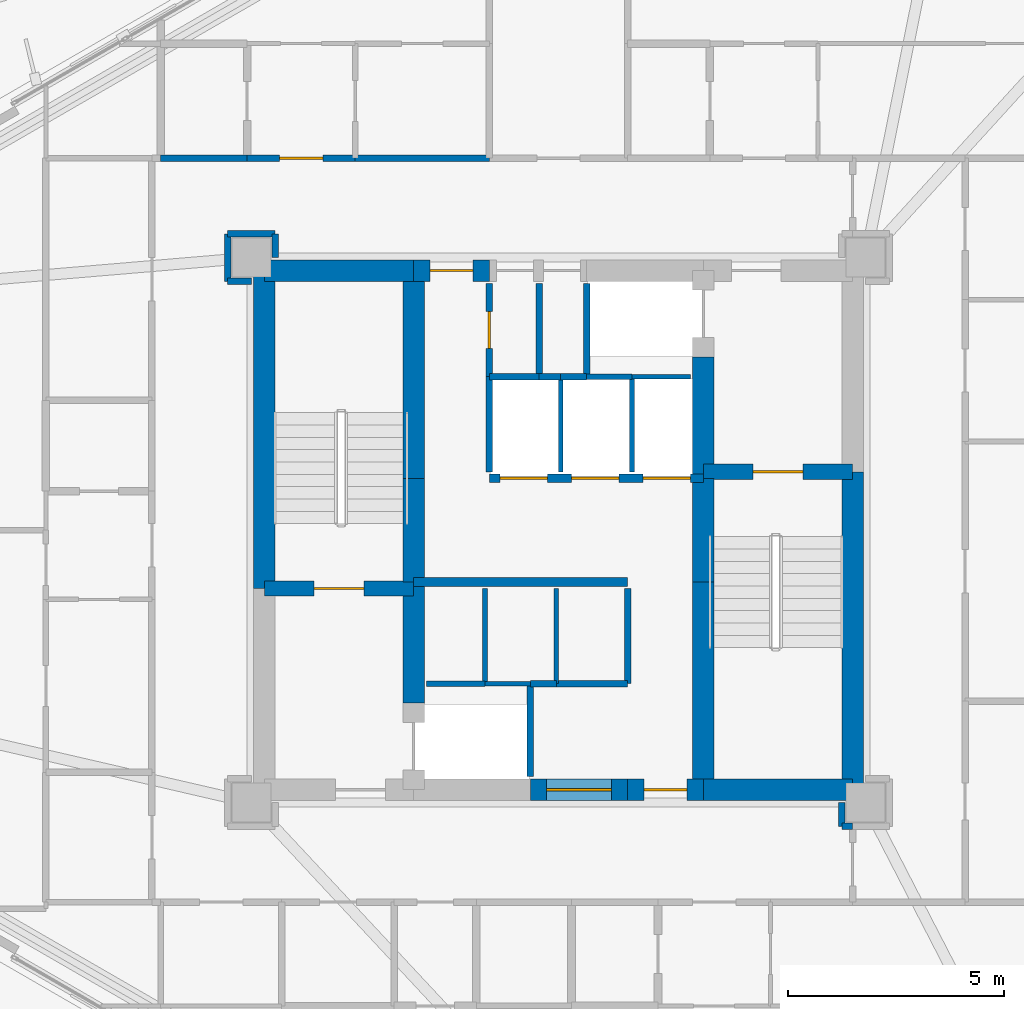
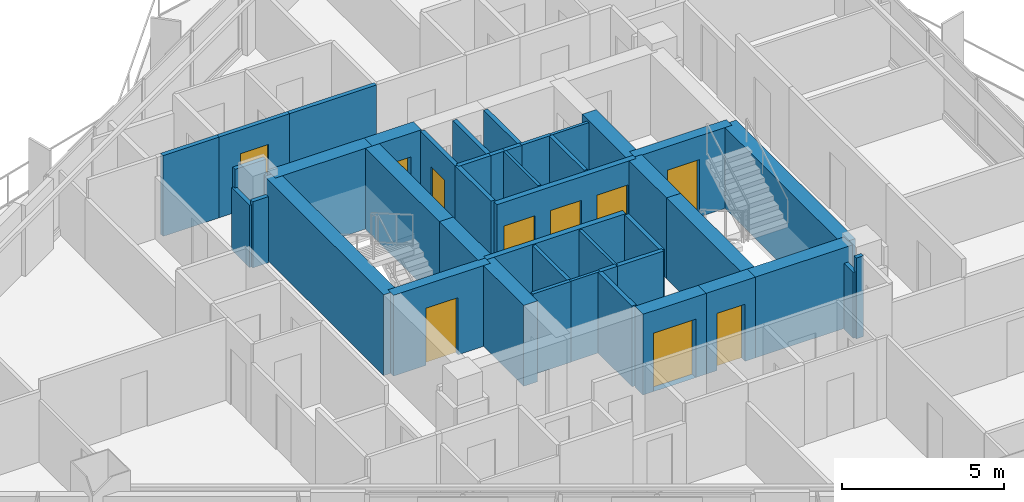
# One storey, part 14 of 19: 45 walls, 10 doors, 10 openings.
"""IFC4 building model written with IfcOpenShell, lengths in metres."""

from ifc_helpers import new_model, si_unit, direction, frame, frame_2d, origin, place, context, subcontext, project, spatial, rectangle, extrude, material, layer, layer_set, type_object, element, fill, save


model = new_model("IFC4")

# Units and contexts
model_context = context("Model", 3, precision=1e-05, world=origin(), true_north=direction((0.0, 1.0)))
body_context = subcontext(model_context, "Body", "Model", "MODEL_VIEW")
ifc_project = project(units=[si_unit("LENGTHUNIT", "METRE"), si_unit("AREAUNIT", "SQUARE_METRE"), si_unit("VOLUMEUNIT", "CUBIC_METRE"), si_unit("PLANEANGLEUNIT", "RADIAN"), si_unit("MASSUNIT", "GRAM", prefix="KILO")], contexts=[model_context])

# Site, building, storey
site_placement = place(None, origin())
site = spatial("IfcSite", under=ifc_project, at=site_placement, CompositionType="ELEMENT")
building_placement = place(site_placement, origin())
building = spatial("IfcBuilding", under=site, at=building_placement, Name="Mersakhor Tower and Convention Hall", CompositionType="ELEMENT")
storey_placement = place(building_placement, frame((0.0, 0.0, 48.89990234375)))
storey = spatial("IfcBuildingStorey", under=building, at=storey_placement, Name="L13", CompositionType="ELEMENT", Elevation=48.89990234375)

# Walls
ifc_material_1 = material(Name="Lightweight gypsum partition", Category="other")
ifc_layer_1 = layer(ifc_material_1, 0.10009765625)
ifc_layer_set_1 = layer_set([ifc_layer_1], Name="Lightweight gypsum partition")
wall_type_1 = type_object("IfcWallType", Name="WL-PRT-100", PredefinedType="PARTITIONING", material=ifc_layer_set_1)
wall_1_placement = place(storey_placement, frame((27.300048828125, 23.199951171875, 0.0), z_axis=(0.0, 0.0, 1.0), x_axis=(1.0, 0.0, 0.0)))
element("IfcWall", 1, at=wall_1_placement, inside=storey, type_object=wall_type_1, Name="L13 Interior Partition Wall P-002", PredefinedType="PARTITIONING", context=body_context, shape_type="SweptSolid", body=[
    extrude(rectangle(XDim=1.050048828125, YDim=0.10009765625, at=frame_2d((0.52490234375, 0.0))), origin(), (0.0, 0.0, 1.0), 3.0400390625),
])
wall_2_placement = place(storey_placement, frame((32.050048828125, 30.300048828125, 0.0), z_axis=(0.0, 0.0, 1.0), x_axis=(-1.0, 0.0, 0.0)))
element("IfcWall", 2, at=wall_2_placement, inside=storey, type_object=wall_type_1, Name="L13 Interior Partition Wall P-004", PredefinedType="PARTITIONING", context=body_context, shape_type="SweptSolid", body=[
    extrude(rectangle(XDim=1.35009765625, YDim=0.10009765625, at=frame_2d((0.675048828125, 0.0))), origin(), (0.0, 0.0, 1.0), 3.0400390625),
])
for number, where, z_axis, x_axis, name in (
    (3, (28.949951171875, 25.39990234375, 0.0), (0.0, 0.0, 1.0), (0.0, -1.0, 0.0), "L13 Interior Partition Wall P-008"),
    (4, (29.050048828125, 30.300048828125, 0.0), (0.0, 0.0, 1.0), (0.0, -1.0, 0.0), "L13 Interior Partition Wall P-014"),
):
    element("IfcWall", number, at=place(storey_placement, frame(where, z_axis=z_axis, x_axis=x_axis)), inside=storey, type_object=wall_type_1, Name=name, PredefinedType="PARTITIONING", context=body_context, shape_type="SweptSolid", body=[
        extrude(rectangle(XDim=2.199951171875, YDim=0.10009765625, at=frame_2d((1.10009765625, 0.0))), origin(), (0.0, 0.0, 1.0), 3.0400390625),
    ])
ifc_material_2 = material(Name="Gypsum board acoustic partition", Category="other")
ifc_layer_2 = layer(ifc_material_2, 0.125)
ifc_layer_set_2 = layer_set([ifc_layer_2], Name="Gypsum board acoustic partition")
wall_type_2 = type_object("IfcWallType", Name="WL-PRT-125", PredefinedType="PARTITIONING", material=ifc_layer_set_2)
wall_3_placement = place(storey_placement, frame((25.949951171875, 23.199951171875, 0.0), z_axis=(0.0, 0.0, 1.0), x_axis=(1.0, 0.0, 0.0)))
element("IfcWall", 5, at=wall_3_placement, inside=storey, type_object=wall_type_2, Name="L13 Interior Partition Wall P-001", PredefinedType="PARTITIONING", context=body_context, shape_type="SweptSolid", body=[
    extrude(rectangle(XDim=1.35009765625, YDim=0.125, at=frame_2d((0.675048828125, 0.0))), origin(), (0.0, 0.0, 1.0), 3.0400390625),
])
wall_4_placement = place(storey_placement, frame((30.699951171875, 30.300048828125, 0.0), z_axis=(0.0, 0.0, 1.0), x_axis=(-1.0, 0.0, 0.0)))
element("IfcWall", 6, at=wall_4_placement, inside=storey, type_object=wall_type_2, Name="L13 Interior Partition Wall P-005", PredefinedType="PARTITIONING", context=body_context, shape_type="SweptSolid", body=[
    extrude(rectangle(XDim=1.050048828125, YDim=0.125, at=frame_2d((0.52490234375, 0.0))), origin(), (0.0, 0.0, 1.0), 3.0400390625),
])
for number, where, z_axis, x_axis, name in (
    (7, (27.300048828125, 25.39990234375, 0.0), (0.0, 0.0, 1.0), (0.0, -1.0, 0.0), "L13 Interior Partition Wall P-007"),
    (8, (30.699951171875, 30.300048828125, 0.0), (0.0, 0.0, 1.0), (0.0, -1.0, 0.0), "L13 Interior Partition Wall P-017"),
):
    element("IfcWall", number, at=place(storey_placement, frame(where, z_axis=z_axis, x_axis=x_axis)), inside=storey, type_object=wall_type_2, Name=name, PredefinedType="PARTITIONING", context=body_context, shape_type="SweptSolid", body=[
        extrude(rectangle(XDim=2.199951171875, YDim=0.125, at=frame_2d((1.10009765625, 0.0))), origin(), (0.0, 0.0, 1.0), 3.0400390625),
    ])
ifc_material_3 = material(Name="Fire-rated gypsum board stud partition", Category="other")
ifc_layer_3 = layer(ifc_material_3, 0.14990234375)
ifc_layer_set_3 = layer_set([ifc_layer_3], Name="Fire-rated gypsum board stud partition")
wall_type_3 = type_object("IfcWallType", Name="WL-PRT-150", PredefinedType="PARTITIONING", material=ifc_layer_set_3)
for number, where, z_axis, x_axis, name in (
    (9, (28.35009765625, 23.199951171875, 0.0), (0.0, 0.0, 1.0), (0.0, -1.0, 0.0), "L13 Interior Partition Wall P-003"),
    (10, (29.64990234375, 30.300048828125, 0.0), (0.0, 0.0, 1.0), (0.0, 1.0, 0.0), "L13 Interior Partition Wall P-006"),
):
    element("IfcWall", number, at=place(storey_placement, frame(where, z_axis=z_axis, x_axis=x_axis)), inside=storey, type_object=wall_type_3, Name=name, PredefinedType="PARTITIONING", context=body_context, shape_type="SweptSolid", body=[
        extrude(rectangle(XDim=2.14990234375, YDim=0.14990234375, at=frame_2d((1.074951171875, 0.0))), origin(), (0.0, 0.0, 1.0), 3.0400390625),
    ])
wall_5_placement = place(storey_placement, frame((28.949951171875, 23.199951171875, 0.0), z_axis=(0.0, 0.0, 1.0), x_axis=(-1.0, 0.0, 0.0)))
element("IfcWall", 11, at=wall_5_placement, inside=storey, type_object=wall_type_3, Name="L13 Interior Partition Wall P-009", PredefinedType="PARTITIONING", context=body_context, shape_type="SweptSolid", body=[
    extrude(rectangle(XDim=0.599853515625, YDim=0.14990234375, at=frame_2d((0.2998046875, 0.0))), origin(), (0.0, 0.0, 1.0), 3.0400390625),
])
wall_6_placement = place(storey_placement, frame((30.60009765625, 25.39990234375, 0.0), z_axis=(0.0, 0.0, 1.0), x_axis=(0.0, -1.0, 0.0)))
element("IfcWall", 12, at=wall_6_placement, inside=storey, type_object=wall_type_3, Name="L13 Interior Partition Wall P-010", PredefinedType="PARTITIONING", context=body_context, shape_type="SweptSolid", body=[
    extrude(rectangle(XDim=2.199951171875, YDim=0.14990234375, at=frame_2d((1.10009765625, 0.0))), origin(), (0.0, 0.0, 1.0), 3.0400390625),
])
wall_7_placement = place(storey_placement, frame((30.60009765625, 23.199951171875, 0.0), z_axis=(0.0, 0.0, 1.0), x_axis=(-1.0, 0.0, 0.0)))
element("IfcWall", 13, at=wall_7_placement, inside=storey, type_object=wall_type_3, Name="L13 Interior Partition Wall P-011", PredefinedType="PARTITIONING", context=body_context, shape_type="SweptSolid", body=[
    extrude(rectangle(XDim=1.650146484375, YDim=0.14990234375, at=frame_2d((0.8251953125, 0.0))), origin(), (0.0, 0.0, 1.0), 3.0400390625),
])
wall_8_placement = place(storey_placement, frame((27.39990234375, 30.300048828125, 0.0), z_axis=(0.0, 0.0, 1.0), x_axis=(1.0, 0.0, 0.0)))
element("IfcWall", 14, at=wall_8_placement, inside=storey, type_object=wall_type_3, Name="L13 Interior Partition Wall P-012", PredefinedType="PARTITIONING", context=body_context, shape_type="SweptSolid", body=[
    extrude(rectangle(XDim=1.150146484375, YDim=0.14990234375, at=frame_2d((0.5751953125, 0.0))), origin(), (0.0, 0.0, 1.0), 3.0400390625),
])
wall_9_placement = place(storey_placement, frame((28.550048828125, 30.300048828125, 0.0), z_axis=(0.0, 0.0, 1.0), x_axis=(1.0, 0.0, 0.0)))
element("IfcWall", 15, at=wall_9_placement, inside=storey, type_object=wall_type_3, Name="L13 Interior Partition Wall P-013", PredefinedType="PARTITIONING", context=body_context, shape_type="SweptSolid", body=[
    extrude(rectangle(XDim=0.5, YDim=0.14990234375, at=frame_2d((0.25, 0.0))), origin(), (0.0, 0.0, 1.0), 3.0400390625),
])
wall_10_placement = place(storey_placement, frame((27.39990234375, 28.10009765625, 0.0), z_axis=(0.0, 0.0, 1.0), x_axis=(0.0, 1.0, 0.0)))
element("IfcWall", 16, at=wall_10_placement, inside=storey, type_object=wall_type_3, Name="L13 Interior Partition Wall P-015", PredefinedType="PARTITIONING", context=body_context, shape_type="SweptSolid", body=[
    extrude(rectangle(XDim=2.199951171875, YDim=0.14990234375, at=frame_2d((1.10009765625, 0.0))), origin(), (0.0, 0.0, 1.0), 3.0400390625),
])
wall_11_placement = place(storey_placement, frame((29.050048828125, 30.300048828125, 0.0), z_axis=(0.0, 0.0, 1.0), x_axis=(1.0, 0.0, 0.0)))
element("IfcWall", 17, at=wall_11_placement, inside=storey, type_object=wall_type_3, Name="L13 Interior Partition Wall P-016", PredefinedType="PARTITIONING", context=body_context, shape_type="SweptSolid", body=[
    extrude(rectangle(XDim=0.599853515625, YDim=0.14990234375, at=frame_2d((0.2998046875, 0.0))), origin(), (0.0, 0.0, 1.0), 3.0400390625),
])

# Wall, opening, door
wall_12_placement = place(storey_placement, frame((27.39990234375, 32.449951171875, 0.0), z_axis=(0.0, 0.0, 1.0), x_axis=(0.0, -1.0, 0.0)))
wall_12 = element("IfcWall", 18, at=wall_12_placement, inside=storey, type_object=wall_type_3, Name="L13 Interior Partition Wall P-018", PredefinedType="PARTITIONING", context=body_context, shape_type="SweptSolid", body=[
    extrude(rectangle(XDim=2.14990234375, YDim=0.14990234375, at=frame_2d((1.074951171875, 0.0))), origin(), (0.0, 0.0, 1.0), 3.0400390625),
])
opening_1_placement = place(wall_12_placement, frame((0.64990234375, 0.0, 0.0)))
opening_1 = element("IfcOpeningElement", 19, at=opening_1_placement, cuts=wall_12, Name="Opening SVD-01", PredefinedType="OPENING", context=body_context, shape_type="SweptSolid", body=[
    extrude(rectangle(XDim=0.85009765625, YDim=2.10009765625, at=frame_2d((0.425048828125, 1.050048828125))), frame((0.0, 0.0849609375, 0.0), z_axis=(0.0, -1.0, 0.0), x_axis=(1.0, 0.0, 0.0)), (0.0, 0.0, 1.0), 0.169921875),
])
ifc_material_4 = material(Name="Fire-rated hardwood leaf and painted steel frame", Category="steel")
door_type_1 = type_object("IfcDoorType", Name="DR-INT-SVC-085x210", OperationType="NOTDEFINED", PredefinedType="DOOR", material=ifc_material_4)
door_1_placement = place(opening_1_placement, origin())
door_1 = element("IfcDoor", 20, at=door_1_placement, inside=storey, type_object=door_type_1, Name="L13 Central Passenger Lift Lobby to Telecoms Distribution Room Door", OperationType="SINGLE_SWING_LEFT", OverallHeight=2.10009765625, OverallWidth=0.85009765625, PredefinedType="DOOR", context=body_context, shape_type="SweptSolid", body=[
    extrude(rectangle(XDim=0.85009765625, YDim=2.10009765625, at=frame_2d((0.425048828125, 1.050048828125))), frame((0.0, 0.02490234375, 0.0), z_axis=(0.0, -1.0, 0.0), x_axis=(1.0, 0.0, 0.0)), (0.0, 0.0, 1.0), 0.050048828125),
])
fill(opening_1, door_1)

# Walls
wall_13_placement = place(storey_placement, frame((35.550048828125, 20.449951171875, 0.0), z_axis=(0.0, 0.0, 1.0), x_axis=(0.0, -1.0, 0.0)))
element("IfcWall", 21, at=wall_13_placement, inside=storey, type_object=wall_type_3, Name="L13 Interior Partition Wall P-021", PredefinedType="PARTITIONING", context=body_context, shape_type="SweptSolid", body=[
    extrude(rectangle(XDim=0.550048828125, YDim=0.14990234375, at=frame_2d((0.27490234375, 0.0))), origin(), (0.0, 0.0, 1.0), 2.48828125),
])
wall_14_placement = place(storey_placement, frame((35.550048828125, 19.89990234375, 0.0), z_axis=(0.0, 0.0, 1.0), x_axis=(1.0, 0.0, 0.0)))
element("IfcWall", 22, at=wall_14_placement, inside=storey, type_object=wall_type_3, Name="L13 Interior Partition Wall P-022", PredefinedType="PARTITIONING", context=body_context, shape_type="SweptSolid", body=[
    extrude(rectangle(XDim=0.25, YDim=0.14990234375, at=frame_2d((0.125, 0.0))), origin(), (0.0, 0.0, 1.0), 3.0400390625),
])
wall_15_placement = place(storey_placement, frame((19.800048828125, 35.35009765625, 0.0), z_axis=(0.0, 0.0, 1.0), x_axis=(1.0, 0.0, 0.0)))
element("IfcWall", 23, at=wall_15_placement, inside=storey, type_object=wall_type_3, Name="L13 Interior Partition Wall P-038", PredefinedType="PARTITIONING", context=body_context, shape_type="SweptSolid", body=[
    extrude(rectangle(XDim=2.0, YDim=0.14990234375, at=frame_2d((1.0, 0.0))), origin(), (0.0, 0.0, 1.0), 3.0400390625),
])

# Wall, opening, door
wall_16_placement = place(storey_placement, frame((21.800048828125, 35.35009765625, 0.0), z_axis=(0.0, 0.0, 1.0), x_axis=(1.0, 0.0, 0.0)))
wall_16 = element("IfcWall", 24, at=wall_16_placement, inside=storey, type_object=wall_type_3, Name="L13 Interior Partition Wall P-039", PredefinedType="PARTITIONING", context=body_context, shape_type="SweptSolid", body=[
    extrude(rectangle(XDim=2.5, YDim=0.14990234375, at=frame_2d((1.25, 0.0))), origin(), (0.0, 0.0, 1.0), 3.0400390625),
])
opening_2_placement = place(wall_16_placement, frame((0.75, 0.0, 0.0)))
opening_2 = element("IfcOpeningElement", 25, at=opening_2_placement, cuts=wall_16, Name="Opening FD-01", PredefinedType="OPENING", context=body_context, shape_type="SweptSolid", body=[
    extrude(rectangle(XDim=1.0, YDim=2.14990234375, at=frame_2d((0.5, 1.074951171875))), frame((0.0, 0.0849609375, 0.0), z_axis=(0.0, -1.0, 0.0), x_axis=(1.0, 0.0, 0.0)), (0.0, 0.0, 1.0), 0.169921875),
])
ifc_material_5 = material(Name="Fire-rated hardwood leaf and painted steel frame", Category="steel")
door_type_2 = type_object("IfcDoorType", Name="DR-INT-FLT-100x215", OperationType="NOTDEFINED", PredefinedType="DOOR", material=ifc_material_5)
door_2_placement = place(opening_2_placement, origin())
door_2 = element("IfcDoor", 26, at=door_2_placement, inside=storey, type_object=door_type_2, Name="L13 Apartment Entrance Door (Residential Ring Corridor to L13 Flat N1 Apartment Hall)", OperationType="SINGLE_SWING_RIGHT", OverallHeight=2.14990234375, OverallWidth=1.0, PredefinedType="DOOR", context=body_context, shape_type="SweptSolid", body=[
    extrude(rectangle(XDim=1.0, YDim=2.14990234375, at=frame_2d((0.5, 1.074951171875))), frame((0.0, 0.02490234375, 0.0), z_axis=(0.0, -1.0, 0.0), x_axis=(1.0, 0.0, 0.0)), (0.0, 0.0, 1.0), 0.050048828125),
])
fill(opening_2, door_2)

# Walls
wall_17_placement = place(storey_placement, frame((24.300048828125, 35.35009765625, 0.0), z_axis=(0.0, 0.0, 1.0), x_axis=(1.0, 0.0, 0.0)))
element("IfcWall", 27, at=wall_17_placement, inside=storey, type_object=wall_type_3, Name="L13 Interior Partition Wall P-040", PredefinedType="PARTITIONING", context=body_context, shape_type="SweptSolid", body=[
    extrude(rectangle(XDim=3.099853515625, YDim=0.14990234375, at=frame_2d((1.5498046875, 0.0))), origin(), (0.0, 0.0, 1.0), 3.0400390625),
])
wall_18_placement = place(storey_placement, frame((22.449951171875, 33.050048828125, 0.0), z_axis=(0.0, 0.0, 1.0), x_axis=(0.0, 1.0, 0.0)))
element("IfcWall", 28, at=wall_18_placement, inside=storey, type_object=wall_type_3, Name="L13 Interior Partition Wall P-048", PredefinedType="PARTITIONING", context=body_context, shape_type="SweptSolid", body=[
    extrude(rectangle(XDim=0.550048828125, YDim=0.14990234375, at=frame_2d((0.27490234375, 0.0))), origin(), (0.0, 0.0, 1.0), 2.48828125),
])
wall_19_placement = place(storey_placement, frame((22.449951171875, 33.60009765625, 0.0), z_axis=(0.0, 0.0, 1.0), x_axis=(-1.0, 0.0, 0.0)))
element("IfcWall", 29, at=wall_19_placement, inside=storey, type_object=wall_type_3, Name="L13 Interior Partition Wall P-049", PredefinedType="PARTITIONING", context=body_context, shape_type="SweptSolid", body=[
    extrude(rectangle(XDim=1.099853515625, YDim=0.14990234375, at=frame_2d((0.5498046875, 0.0))), origin(), (0.0, 0.0, 1.0), 3.0400390625),
])
wall_20_placement = place(storey_placement, frame((21.35009765625, 33.60009765625, 0.0), z_axis=(0.0, 0.0, 1.0), x_axis=(0.0, -1.0, 0.0)))
element("IfcWall", 30, at=wall_20_placement, inside=storey, type_object=wall_type_3, Name="L13 Interior Partition Wall P-050", PredefinedType="PARTITIONING", context=body_context, shape_type="SweptSolid", body=[
    extrude(rectangle(XDim=1.10009765625, YDim=0.14990234375, at=frame_2d((0.550048828125, 0.0))), origin(), (0.0, 0.0, 1.0), 2.337646484375),
])
wall_21_placement = place(storey_placement, frame((21.35009765625, 32.5, 0.0), z_axis=(0.0, 0.0, 1.0), x_axis=(1.0, 0.0, 0.0)))
element("IfcWall", 31, at=wall_21_placement, inside=storey, type_object=wall_type_3, Name="L13 Interior Partition Wall P-051", PredefinedType="PARTITIONING", context=body_context, shape_type="SweptSolid", body=[
    extrude(rectangle(XDim=0.5498046875, YDim=0.14990234375, at=frame_2d((0.27490234375, 0.0))), origin(), (0.0, 0.0, 1.0), 2.48828125),
])
wall_22_placement = place(storey_placement, frame((28.550048828125, 32.449951171875, 0.0), z_axis=(0.0, 0.0, 1.0), x_axis=(0.0, -1.0, 0.0)))
element("IfcWall", 32, at=wall_22_placement, inside=storey, type_object=wall_type_3, Name="L13 Interior Partition Wall P-099", PredefinedType="PARTITIONING", context=body_context, shape_type="SweptSolid", body=[
    extrude(rectangle(XDim=2.14990234375, YDim=0.14990234375, at=frame_2d((1.074951171875, 0.0))), origin(), (0.0, 0.0, 1.0), 3.0400390625),
])
ifc_material_6 = material(Name="Acoustic concrete blockwork and gypsum board", Category="masonry")
ifc_layer_4 = layer(ifc_material_6, 0.199951171875)
ifc_layer_set_4 = layer_set([ifc_layer_4], Name="Acoustic concrete blockwork and gypsum board")
wall_type_4 = type_object("IfcWallType", Name="WL-PRT-200", PredefinedType="PARTITIONING", material=ifc_layer_set_4)
wall_23_placement = place(storey_placement, frame((25.64990234375, 25.550048828125, 0.0), z_axis=(0.0, 0.0, 1.0), x_axis=(1.0, 0.0, 0.0)))
element("IfcWall", 33, at=wall_23_placement, inside=storey, type_object=wall_type_4, Name="L13 High-Rise Lift Bank Front Wall", PredefinedType="PARTITIONING", context=body_context, shape_type="SweptSolid", body=[
    extrude(rectangle(XDim=4.9501953125, YDim=0.199951171875, at=frame_2d((2.47509765625, 0.0))), origin(), (0.0, 0.0, 1.0), 3.0400390625),
])

# Wall, openings, doors
wall_24_placement = place(storey_placement, frame((27.39990234375, 27.949951171875, 0.0), z_axis=(0.0, 0.0, 1.0), x_axis=(1.0, 0.0, 0.0)))
wall_24 = element("IfcWall", 34, at=wall_24_placement, inside=storey, type_object=wall_type_4, Name="L13 Low-Rise Lift Bank Front Wall", PredefinedType="PARTITIONING", context=body_context, shape_type="SweptSolid", body=[
    extrude(rectangle(XDim=4.9501953125, YDim=0.199951171875, at=frame_2d((2.47509765625, 0.0))), origin(), (0.0, 0.0, 1.0), 3.0400390625),
])
opening_3_placement = place(wall_24_placement, frame((0.25, 0.0, 0.0)))
opening_3 = element("IfcOpeningElement", 35, at=opening_3_placement, cuts=wall_24, Name="Opening LD-P1", PredefinedType="OPENING", context=body_context, shape_type="SweptSolid", body=[
    extrude(rectangle(XDim=1.10009765625, YDim=2.14990234375, at=frame_2d((0.550048828125, 1.074951171875))), frame((0.0, 0.10986328125, 0.0), z_axis=(0.0, -1.0, 0.0), x_axis=(1.0, 0.0, 0.0)), (0.0, 0.0, 1.0), 0.219970703125),
])
opening_4_placement = place(wall_24_placement, frame((1.89990234375, 0.0, 0.0)))
opening_4 = element("IfcOpeningElement", 36, at=opening_4_placement, cuts=wall_24, Name="Opening LD-P2", PredefinedType="OPENING", context=body_context, shape_type="SweptSolid", body=[
    extrude(rectangle(XDim=1.10009765625, YDim=2.14990234375, at=frame_2d((0.550048828125, 1.074951171875))), frame((0.0, 0.10986328125, 0.0), z_axis=(0.0, -1.0, 0.0), x_axis=(1.0, 0.0, 0.0)), (0.0, 0.0, 1.0), 0.219970703125),
])
opening_5_placement = place(wall_24_placement, frame((3.550048828125, 0.0, 0.0)))
opening_5 = element("IfcOpeningElement", 37, at=opening_5_placement, cuts=wall_24, Name="Opening LD-P3", PredefinedType="OPENING", context=body_context, shape_type="SweptSolid", body=[
    extrude(rectangle(XDim=1.10009765625, YDim=2.14990234375, at=frame_2d((0.550048828125, 1.074951171875))), frame((0.0, 0.10986328125, 0.0), z_axis=(0.0, -1.0, 0.0), x_axis=(1.0, 0.0, 0.0)), (0.0, 0.0, 1.0), 0.219970703125),
])
ifc_material_7 = material(Name="Fire-rated brushed stainless steel sliding landing door", Category="steel")
door_type_3 = type_object("IfcDoorType", Name="DR-LIFT-SLD-110x215", OperationType="NOTDEFINED", PredefinedType="DOOR", material=ifc_material_7)
door_3_placement = place(opening_3_placement, origin())
door_3 = element("IfcDoor", 38, at=door_3_placement, inside=storey, type_object=door_type_3, Name="L13 Lift Landing Door LD-P1", OperationType="SLIDING_TO_LEFT", OverallHeight=2.14990234375, OverallWidth=1.10009765625, PredefinedType="DOOR", context=body_context, shape_type="SweptSolid", body=[
    extrude(rectangle(XDim=1.10009765625, YDim=2.14990234375, at=frame_2d((0.550048828125, 1.074951171875))), frame((0.0, 0.02490234375, 0.0), z_axis=(0.0, -1.0, 0.0), x_axis=(1.0, 0.0, 0.0)), (0.0, 0.0, 1.0), 0.050048828125),
])
fill(opening_3, door_3)
door_4_placement = place(opening_4_placement, origin())
door_4 = element("IfcDoor", 39, at=door_4_placement, inside=storey, type_object=door_type_3, Name="L13 Lift Landing Door LD-P2", OperationType="SLIDING_TO_LEFT", OverallHeight=2.14990234375, OverallWidth=1.10009765625, PredefinedType="DOOR", context=body_context, shape_type="SweptSolid", body=[
    extrude(rectangle(XDim=1.10009765625, YDim=2.14990234375, at=frame_2d((0.550048828125, 1.074951171875))), frame((0.0, 0.02490234375, 0.0), z_axis=(0.0, -1.0, 0.0), x_axis=(1.0, 0.0, 0.0)), (0.0, 0.0, 1.0), 0.050048828125),
])
fill(opening_4, door_4)
door_5_placement = place(opening_5_placement, origin())
door_5 = element("IfcDoor", 40, at=door_5_placement, inside=storey, type_object=door_type_3, Name="L13 Lift Landing Door LD-P3", OperationType="SLIDING_TO_LEFT", OverallHeight=2.14990234375, OverallWidth=1.10009765625, PredefinedType="DOOR", context=body_context, shape_type="SweptSolid", body=[
    extrude(rectangle(XDim=1.10009765625, YDim=2.14990234375, at=frame_2d((0.550048828125, 1.074951171875))), frame((0.0, 0.02490234375, 0.0), z_axis=(0.0, -1.0, 0.0), x_axis=(1.0, 0.0, 0.0)), (0.0, 0.0, 1.0), 0.050048828125),
])
fill(opening_5, door_5)

# Wall, opening, door
ifc_material_8 = material(Name="Concrete C50/60", Category="concrete")
ifc_layer_5 = layer(ifc_material_8, 0.35009765625)
ifc_layer_set_5 = layer_set([ifc_layer_5], Name="Concrete C50/60")
wall_type_5 = type_object("IfcWallType", Name="WL-SHR-350", PredefinedType="SHEAR", material=ifc_layer_set_5)
wall_25_placement = place(storey_placement, frame((22.199951171875, 25.39990234375, 0.0), z_axis=(0.0, 0.0, 1.0), x_axis=(1.0, 0.0, 0.0)))
wall_25 = element("IfcWall", 41, at=wall_25_placement, inside=storey, type_object=wall_type_5, Name="L13 Core Wall CS-ST1-S", PredefinedType="SHEAR", context=body_context, shape_type="SweptSolid", body=[
    extrude(rectangle(XDim=3.449951171875, YDim=0.35009765625, at=frame_2d((1.72509765625, 0.0))), origin(), (0.0, 0.0, 1.0), 3.0400390625),
])
opening_6_placement = place(wall_25_placement, frame((1.14990234375, 0.0, 0.0)))
opening_6 = element("IfcOpeningElement", 42, at=opening_6_placement, cuts=wall_25, Name="Opening SD-01", PredefinedType="OPENING", context=body_context, shape_type="SweptSolid", body=[
    extrude(rectangle(XDim=1.14990234375, YDim=2.14990234375, at=frame_2d((0.574951171875, 1.074951171875))), frame((0.0, 0.18505859375, 0.0), z_axis=(0.0, -1.0, 0.0), x_axis=(1.0, 0.0, 0.0)), (0.0, 0.0, 1.0), 0.3701171875),
])
ifc_material_9 = material(Name="Fire-rated hardwood leaf and painted steel frame", Category="steel")
door_type_4 = type_object("IfcDoorType", Name="DR-INT-STAIR-115x215", OperationType="NOTDEFINED", PredefinedType="DOOR", material=ifc_material_9)
door_6_placement = place(opening_6_placement, origin())
door_6 = element("IfcDoor", 43, at=door_6_placement, inside=storey, type_object=door_type_4, Name="L13 Exit Stair ST-1 Enclosure Door", OperationType="SINGLE_SWING_LEFT", OverallHeight=2.14990234375, OverallWidth=1.14990234375, PredefinedType="DOOR", context=body_context, shape_type="SweptSolid", body=[
    extrude(rectangle(XDim=1.14990234375, YDim=2.14990234375, at=frame_2d((0.574951171875, 1.074951171875))), frame((0.0, 0.02490234375, 0.0), z_axis=(0.0, -1.0, 0.0), x_axis=(1.0, 0.0, 0.0)), (0.0, 0.0, 1.0), 0.050048828125),
])
fill(opening_6, door_6)

wall_26_placement = place(storey_placement, frame((32.35009765625, 28.10009765625, 0.0), z_axis=(0.0, 0.0, 1.0), x_axis=(1.0, 0.0, 0.0)))
wall_26 = element("IfcWall", 44, at=wall_26_placement, inside=storey, type_object=wall_type_5, Name="L13 Core Wall CS-ST2-N", PredefinedType="SHEAR", context=body_context, shape_type="SweptSolid", body=[
    extrude(rectangle(XDim=3.449951171875, YDim=0.35009765625, at=frame_2d((1.72509765625, 0.0))), origin(), (0.0, 0.0, 1.0), 3.0400390625),
])
opening_7_placement = place(wall_26_placement, frame((1.14990234375, 0.0, 0.0)))
opening_7 = element("IfcOpeningElement", 45, at=opening_7_placement, cuts=wall_26, Name="Opening SD-01", PredefinedType="OPENING", context=body_context, shape_type="SweptSolid", body=[
    extrude(rectangle(XDim=1.14990234375, YDim=2.14990234375, at=frame_2d((0.574951171875, 1.074951171875))), frame((0.0, 0.18505859375, 0.0), z_axis=(0.0, -1.0, 0.0), x_axis=(1.0, 0.0, 0.0)), (0.0, 0.0, 1.0), 0.3701171875),
])
door_7_placement = place(opening_7_placement, origin())
door_7 = element("IfcDoor", 46, at=door_7_placement, inside=storey, type_object=door_type_4, Name="L13 Exit Stair ST-2 Enclosure Door", OperationType="SINGLE_SWING_RIGHT", OverallHeight=2.14990234375, OverallWidth=1.14990234375, PredefinedType="DOOR", context=body_context, shape_type="SweptSolid", body=[
    extrude(rectangle(XDim=1.14990234375, YDim=2.14990234375, at=frame_2d((0.574951171875, 1.074951171875))), frame((0.0, 0.02490234375, 0.0), z_axis=(0.0, -1.0, 0.0), x_axis=(1.0, 0.0, 0.0)), (0.0, 0.0, 1.0), 0.050048828125),
])
fill(opening_7, door_7)

# Walls
ifc_material_10 = material(Name="Concrete C70/85", Category="concrete")
ifc_layer_6 = layer(ifc_material_10, 0.5)
ifc_layer_set_6 = layer_set([ifc_layer_6], Name="Concrete C70/85")
wall_type_6 = type_object("IfcWallType", Name="WL-SHR-500", PredefinedType="SHEAR", material=ifc_layer_set_6)
wall_27_placement = place(storey_placement, frame((22.199951171875, 25.39990234375, 0.0), z_axis=(0.0, 0.0, 1.0), x_axis=(0.0, 1.0, 0.0)))
element("IfcWall", 47, at=wall_27_placement, inside=storey, type_object=wall_type_6, Name="L13 Core Wall CW-W2", PredefinedType="SHEAR", context=body_context, shape_type="SweptSolid", body=[
    extrude(rectangle(XDim=7.35009765625, YDim=0.5, at=frame_2d((3.675048828125, 0.0))), origin(), (0.0, 0.0, 1.0), 3.0400390625),
])
wall_28_placement = place(storey_placement, frame((22.199951171875, 32.75, 0.0), z_axis=(0.0, 0.0, 1.0), x_axis=(1.0, 0.0, 0.0)))
element("IfcWall", 48, at=wall_28_placement, inside=storey, type_object=wall_type_6, Name="L13 Core Wall CW-N1", PredefinedType="SHEAR", context=body_context, shape_type="SweptSolid", body=[
    extrude(rectangle(XDim=3.449951171875, YDim=0.5, at=frame_2d((1.72509765625, 0.0))), origin(), (0.0, 0.0, 1.0), 3.0400390625),
])

# Wall, opening, door
wall_29_placement = place(storey_placement, frame((25.64990234375, 32.75, 0.0), z_axis=(0.0, 0.0, 1.0), x_axis=(1.0, 0.0, 0.0)))
wall_29 = element("IfcWall", 49, at=wall_29_placement, inside=storey, type_object=wall_type_6, Name="L13 Core Wall CW-N2A", PredefinedType="SHEAR", context=body_context, shape_type="SweptSolid", body=[
    extrude(rectangle(XDim=1.75, YDim=0.5, at=frame_2d((0.875, 0.0))), origin(), (0.0, 0.0, 1.0), 3.0400390625),
])
opening_8_placement = place(wall_29_placement, frame((0.375, 0.0, 0.0)))
opening_8 = element("IfcOpeningElement", 50, at=opening_8_placement, cuts=wall_29, Name="Opening CFD-01", PredefinedType="OPENING", context=body_context, shape_type="SweptSolid", body=[
    extrude(rectangle(XDim=1.0, YDim=2.14990234375, at=frame_2d((0.5, 1.074951171875))), frame((0.0, 0.260009765625, 0.0), z_axis=(0.0, -1.0, 0.0), x_axis=(1.0, 0.0, 0.0)), (0.0, 0.0, 1.0), 0.52001953125),
])
ifc_material_11 = material(Name="Fire-rated hardwood leaf and painted steel frame", Category="steel")
door_type_5 = type_object("IfcDoorType", Name="DR-CORE-FD-100x215", OperationType="NOTDEFINED", PredefinedType="DOOR", material=ifc_material_11)
door_8_placement = place(opening_8_placement, origin())
door_8 = element("IfcDoor", 51, at=door_8_placement, inside=storey, type_object=door_type_5, Name="L13 Lift Lobby North Corridor Door", OperationType="SINGLE_SWING_LEFT", OverallHeight=2.14990234375, OverallWidth=1.0, PredefinedType="DOOR", context=body_context, shape_type="SweptSolid", body=[
    extrude(rectangle(XDim=1.0, YDim=2.14990234375, at=frame_2d((0.5, 1.074951171875))), frame((0.0, 0.02490234375, 0.0), z_axis=(0.0, -1.0, 0.0), x_axis=(1.0, 0.0, 0.0)), (0.0, 0.0, 1.0), 0.050048828125),
])
fill(opening_8, door_8)

# Walls
wall_30_placement = place(storey_placement, frame((35.800048828125, 28.10009765625, 0.0), z_axis=(0.0, 0.0, 1.0), x_axis=(0.0, -1.0, 0.0)))
element("IfcWall", 52, at=wall_30_placement, inside=storey, type_object=wall_type_6, Name="L13 Core Wall CW-E2", PredefinedType="SHEAR", context=body_context, shape_type="SweptSolid", body=[
    extrude(rectangle(XDim=7.35009765625, YDim=0.5, at=frame_2d((3.675048828125, 0.0))), origin(), (0.0, 0.0, 1.0), 3.0400390625),
])
wall_31_placement = place(storey_placement, frame((35.800048828125, 20.75, 0.0), z_axis=(0.0, 0.0, 1.0), x_axis=(-1.0, 0.0, 0.0)))
element("IfcWall", 53, at=wall_31_placement, inside=storey, type_object=wall_type_6, Name="L13 Core Wall CW-S1", PredefinedType="SHEAR", context=body_context, shape_type="SweptSolid", body=[
    extrude(rectangle(XDim=3.449951171875, YDim=0.5, at=frame_2d((1.72509765625, 0.0))), origin(), (0.0, 0.0, 1.0), 3.0400390625),
])

# Wall, opening, door
wall_32_placement = place(storey_placement, frame((32.35009765625, 20.75, 0.0), z_axis=(0.0, 0.0, 1.0), x_axis=(-1.0, 0.0, 0.0)))
wall_32 = element("IfcWall", 54, at=wall_32_placement, inside=storey, type_object=wall_type_6, Name="L13 Core Wall CW-S2A", PredefinedType="SHEAR", context=body_context, shape_type="SweptSolid", body=[
    extrude(rectangle(XDim=1.75, YDim=0.5, at=frame_2d((0.875, 0.0))), origin(), (0.0, 0.0, 1.0), 3.0400390625),
])
opening_9_placement = place(wall_32_placement, frame((0.375, 0.0, 0.0)))
opening_9 = element("IfcOpeningElement", 55, at=opening_9_placement, cuts=wall_32, Name="Opening CFD-01", PredefinedType="OPENING", context=body_context, shape_type="SweptSolid", body=[
    extrude(rectangle(XDim=1.0, YDim=2.14990234375, at=frame_2d((0.5, 1.074951171875))), frame((0.0, 0.260009765625, 0.0), z_axis=(0.0, -1.0, 0.0), x_axis=(1.0, 0.0, 0.0)), (0.0, 0.0, 1.0), 0.52001953125),
])
door_9_placement = place(opening_9_placement, origin())
door_9 = element("IfcDoor", 56, at=door_9_placement, inside=storey, type_object=door_type_5, Name="L13 Lift Lobby South Corridor Door", OperationType="SINGLE_SWING_RIGHT", OverallHeight=2.14990234375, OverallWidth=1.0, PredefinedType="DOOR", context=body_context, shape_type="SweptSolid", body=[
    extrude(rectangle(XDim=1.0, YDim=2.14990234375, at=frame_2d((0.5, 1.074951171875))), frame((0.0, 0.02490234375, 0.0), z_axis=(0.0, -1.0, 0.0), x_axis=(1.0, 0.0, 0.0)), (0.0, 0.0, 1.0), 0.050048828125),
])
fill(opening_9, door_9)

wall_33_placement = place(storey_placement, frame((30.60009765625, 20.75, 0.0), z_axis=(0.0, 0.0, 1.0), x_axis=(-1.0, 0.0, 0.0)))
wall_33 = element("IfcWall", 57, at=wall_33_placement, inside=storey, type_object=wall_type_6, Name="L13 Core Wall CW-S2B", PredefinedType="SHEAR", context=body_context, shape_type="SweptSolid", body=[
    extrude(rectangle(XDim=2.25, YDim=0.5, at=frame_2d((1.125, 0.0))), origin(), (0.0, 0.0, 1.0), 3.0400390625),
])
opening_10_placement = place(wall_33_placement, frame((0.375, 0.0, 0.0)))
opening_10 = element("IfcOpeningElement", 58, at=opening_10_placement, cuts=wall_33, Name="Opening LD-LOB", PredefinedType="OPENING", context=body_context, shape_type="SweptSolid", body=[
    extrude(rectangle(XDim=1.5, YDim=2.199951171875, at=frame_2d((0.75, 1.10009765625))), frame((0.0, 0.260009765625, 0.0), z_axis=(0.0, -1.0, 0.0), x_axis=(1.0, 0.0, 0.0)), (0.0, 0.0, 1.0), 0.52001953125),
])
ifc_material_12 = material(Name="Fire-rated hardwood leaf and painted steel frame", Category="steel")
door_type_6 = type_object("IfcDoorType", Name="DR-INT-LOB-150x220", OperationType="NOTDEFINED", PredefinedType="DOOR", material=ifc_material_12)
door_10_placement = place(opening_10_placement, origin())
door_10 = element("IfcDoor", 59, at=door_10_placement, inside=storey, type_object=door_type_6, Name="L13 Central Passenger Lift Lobby to Residential Ring Corridor Door", OperationType="DOUBLE_DOOR_SINGLE_SWING", OverallHeight=2.199951171875, OverallWidth=1.5, PredefinedType="DOOR", context=body_context, shape_type="SweptSolid", body=[
    extrude(rectangle(XDim=1.5, YDim=2.199951171875, at=frame_2d((0.75, 1.10009765625))), frame((0.0, 0.02490234375, 0.0), z_axis=(0.0, -1.0, 0.0), x_axis=(1.0, 0.0, 0.0)), (0.0, 0.0, 1.0), 0.050048828125),
])
fill(opening_10, door_10)

# Walls
wall_34_placement = place(storey_placement, frame((25.64990234375, 22.75, 0.0), z_axis=(0.0, 0.0, 1.0), x_axis=(0.0, 1.0, 0.0)))
element("IfcWall", 60, at=wall_34_placement, inside=storey, type_object=wall_type_6, Name="L13 Core Wall CS-W-MID", PredefinedType="SHEAR", context=body_context, shape_type="SweptSolid", body=[
    extrude(rectangle(XDim=2.800048828125, YDim=0.5, at=frame_2d((1.39990234375, 0.0))), origin(), (0.0, 0.0, 1.0), 3.0400390625),
])
wall_35_placement = place(storey_placement, frame((25.64990234375, 25.550048828125, 0.0), z_axis=(0.0, 0.0, 1.0), x_axis=(0.0, 1.0, 0.0)))
element("IfcWall", 61, at=wall_35_placement, inside=storey, type_object=wall_type_6, Name="L13 Core Wall CS-W-LOB", PredefinedType="SHEAR", context=body_context, shape_type="SweptSolid", body=[
    extrude(rectangle(XDim=2.39990234375, YDim=0.5, at=frame_2d((1.199951171875, 0.0))), origin(), (0.0, 0.0, 1.0), 3.0400390625),
])
for number, where, z_axis, x_axis, name in (
    (62, (25.64990234375, 27.949951171875, 0.0), (0.0, 0.0, 1.0), (0.0, 1.0, 0.0), "L13 Core Wall CS-W-ST1"),
    (63, (32.35009765625, 20.75, 0.0), (0.0, 0.0, 1.0), (0.0, 1.0, 0.0), "L13 Core Wall CS-E-ST2"),
):
    element("IfcWall", number, at=place(storey_placement, frame(where, z_axis=z_axis, x_axis=x_axis)), inside=storey, type_object=wall_type_6, Name=name, PredefinedType="SHEAR", context=body_context, shape_type="SweptSolid", body=[
        extrude(rectangle(XDim=4.800048828125, YDim=0.5, at=frame_2d((2.39990234375, 0.0))), origin(), (0.0, 0.0, 1.0), 3.0400390625),
    ])
wall_36_placement = place(storey_placement, frame((32.35009765625, 25.550048828125, 0.0), z_axis=(0.0, 0.0, 1.0), x_axis=(0.0, 1.0, 0.0)))
element("IfcWall", 64, at=wall_36_placement, inside=storey, type_object=wall_type_6, Name="L13 Core Wall CS-E-LOB", PredefinedType="SHEAR", context=body_context, shape_type="SweptSolid", body=[
    extrude(rectangle(XDim=2.39990234375, YDim=0.5, at=frame_2d((1.199951171875, 0.0))), origin(), (0.0, 0.0, 1.0), 3.0400390625),
])
wall_37_placement = place(storey_placement, frame((32.35009765625, 27.949951171875, 0.0), z_axis=(0.0, 0.0, 1.0), x_axis=(0.0, 1.0, 0.0)))
element("IfcWall", 65, at=wall_37_placement, inside=storey, type_object=wall_type_6, Name="L13 Core Wall CS-E-MID", PredefinedType="SHEAR", context=body_context, shape_type="SweptSolid", body=[
    extrude(rectangle(XDim=2.800048828125, YDim=0.5, at=frame_2d((1.39990234375, 0.0))), origin(), (0.0, 0.0, 1.0), 3.0400390625),
])

save(model, "model.ifc")
